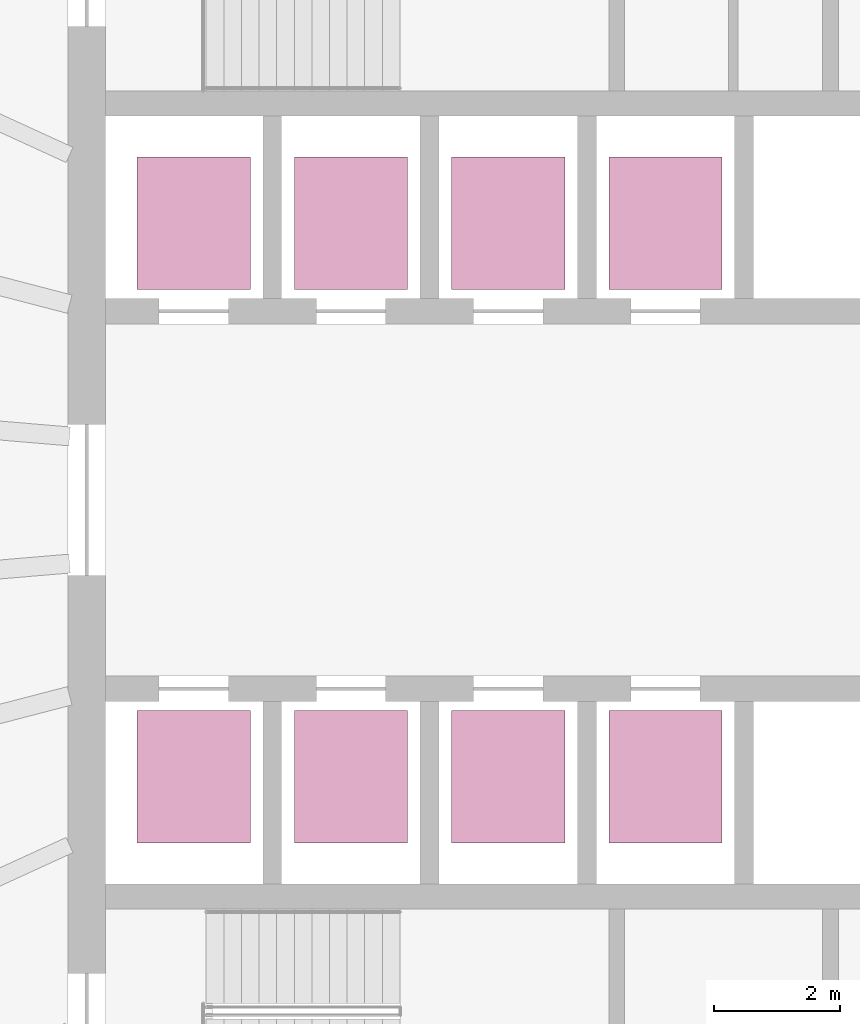
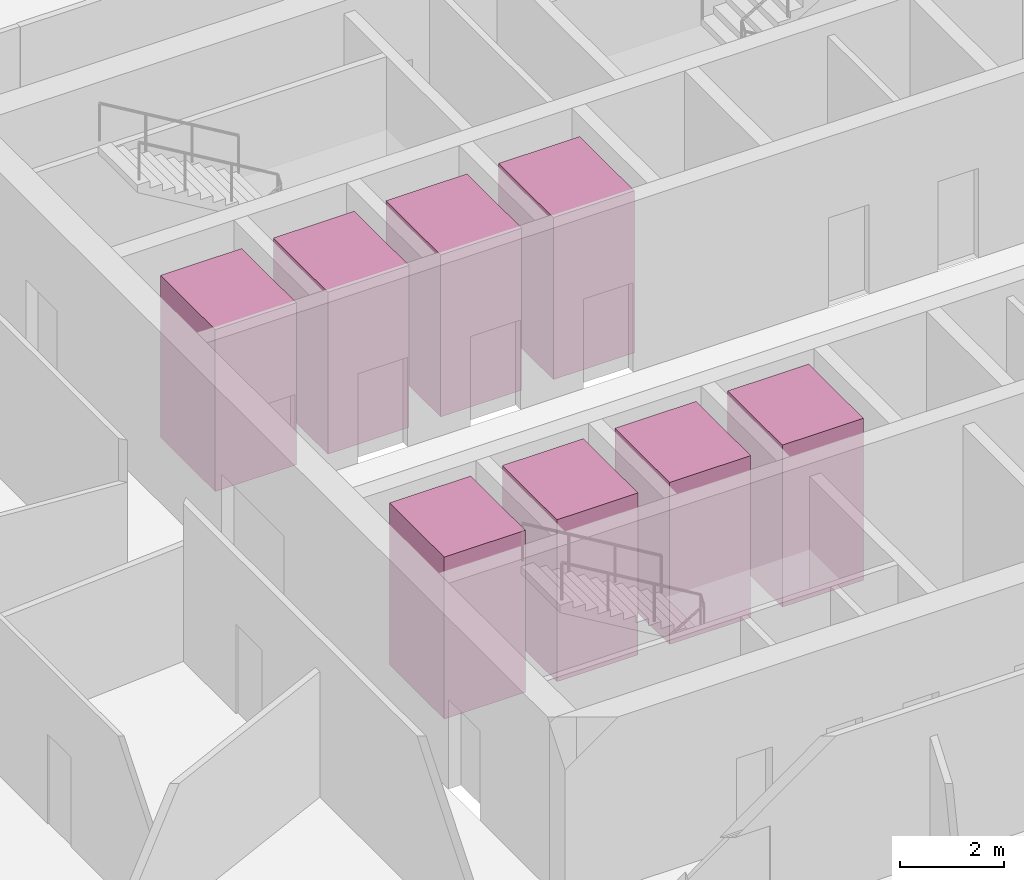
# One storey, part 10 of 10: 8 transport elements.
"""IFC4 building model written with IfcOpenShell, lengths in metres."""

import ifcopenshell
import ifcopenshell.guid

model = None  # the IFC model being written
_history = None  # IfcOwnerHistory: only IFC2X3 demands one
_inside = {}  # id of a spatial element -> (the spatial element, [elements in it])
_under = {}  # id of a project, library or spatial element -> (it, [spatial elements below it])
_declared = {}  # id of a project -> (the project, [libraries it declares])
_typed = {}  # id of a type object -> (the type object, [elements of that type])
_made_of = {}  # id of a material, layer set ... -> (it, [elements and type objects made of it])


def new_model(schema):
    """Start an empty IFC model of exactly this schema.

    Asked for "IFC4X3", IfcOpenShell would pick the latest addendum, in which some entities
    have other attributes; the version numbers below select the first issue.
    IFC2X3 requires an IfcOwnerHistory on every rooted entity: one is made here for all.
    """
    global model, _history
    if schema == "IFC4X3":
        model = ifcopenshell.file(schema_version=(4, 3, 0, 0))
    else:
        model = ifcopenshell.file(schema=schema)
    _inside.clear()
    _under.clear()
    _declared.clear()
    _typed.clear()
    _made_of.clear()
    _history = None
    if model.schema == "IFC2X3":
        org = make("IfcOrganization", Name="unknown")
        user = make(
            "IfcPersonAndOrganization",
            ThePerson=make("IfcPerson", FamilyName="unknown"),
            TheOrganization=org,
        )
        app = make(
            "IfcApplication",
            ApplicationDeveloper=org,
            Version="unknown",
            ApplicationFullName="unknown",
            ApplicationIdentifier="unknown",
        )
        _history = make(
            "IfcOwnerHistory",
            OwningUser=user,
            OwningApplication=app,
            ChangeAction="ADDED",
            CreationDate=0,
        )
    return model


def make(cls, **values):
    """One entity of the class cls with the attributes given. An attribute that is None is left unset."""
    return model.create_entity(
        cls, **{name: value for name, value in values.items() if value is not None}
    )


def rooted(cls, **values):
    """An entity with a GlobalId (a new one), such as an element, a storey or a relation."""
    return make(cls, GlobalId=ifcopenshell.guid.new(), OwnerHistory=_history, **values)


def si_unit(unit_type, name, prefix=None):
    """IfcSIUnit, for example si_unit("LENGTHUNIT", "METRE", prefix="MILLI")."""
    return make("IfcSIUnit", UnitType=unit_type, Prefix=prefix, Name=name)


def assignment(units):
    """IfcUnitAssignment: the units of a project."""
    return None if units is None else make("IfcUnitAssignment", Units=units)


def point(xyz):
    """IfcCartesianPoint."""
    return None if xyz is None else make("IfcCartesianPoint", Coordinates=xyz)


def direction(xyz):
    """IfcDirection."""
    return None if xyz is None else make("IfcDirection", DirectionRatios=xyz)


def frame(location, z_axis=None, x_axis=None):
    """IfcAxis2Placement3D, a coordinate frame: its origin and axes. An axis left out is left unset."""
    return make(
        "IfcAxis2Placement3D",
        Location=point(location),
        Axis=direction(z_axis),
        RefDirection=direction(x_axis),
    )


def frame_2d(location, x_axis=None):
    """IfcAxis2Placement2D, a coordinate frame in the plane: its origin and x axis."""
    return make(
        "IfcAxis2Placement2D", Location=point(location), RefDirection=direction(x_axis)
    )


def origin():
    """The frame at (0, 0, 0) with its axes left unset."""
    return frame((0.0, 0.0, 0.0))


def origin_2d():
    """The frame at (0, 0) in the plane with its x axis left unset."""
    return frame_2d((0.0, 0.0))


def place(relative_to, where):
    """IfcLocalPlacement: puts the frame where relative to a parent placement (None: the world)."""
    return make(
        "IfcLocalPlacement", PlacementRelTo=relative_to, RelativePlacement=where
    )


def context(
    kind, dimensions, precision=None, world=None, true_north=None, identifier=None
):
    """IfcGeometricRepresentationContext, for example the 3D "Model" context."""
    return make(
        "IfcGeometricRepresentationContext",
        ContextIdentifier=identifier,
        ContextType=kind,
        CoordinateSpaceDimension=dimensions,
        Precision=precision,
        WorldCoordinateSystem=world,
        TrueNorth=true_north,
    )


def subcontext(parent, identifier, kind, view, scale=None):
    """IfcGeometricRepresentationSubContext, for example "Body" below "Model"."""
    return make(
        "IfcGeometricRepresentationSubContext",
        ContextIdentifier=identifier,
        ContextType=kind,
        ParentContext=parent,
        TargetScale=scale,
        TargetView=view,
    )


def project(units=None, contexts=None):
    """IfcProject with its units and contexts."""
    return rooted(
        "IfcProject",
        Name="project",
        RepresentationContexts=contexts,
        UnitsInContext=assignment(units),
    )


def spatial(cls, under=None, at=None, **own):
    """A site, building, storey or space (cls), placed at a placement, below another one or the project."""
    s = rooted(cls, ObjectPlacement=at, **own)
    if under is not None:
        _under.setdefault(under.id(), (under, []))[1].append(s)
    return s


def profile(cls, at=None, kind="AREA", **sizes):
    """A parametric profile (cls). Its sizes go by their IFC names, for example OverallWidth=200.0."""
    return make(cls, ProfileType=kind, Position=at, **sizes)


def rectangle(**sizes):
    """IfcRectangleProfileDef."""
    return profile("IfcRectangleProfileDef", **sizes)


def extrude(swept, where, along, depth):
    """IfcExtrudedAreaSolid: the profile swept, set in the frame where, extruded along a direction by depth."""
    return make(
        "IfcExtrudedAreaSolid",
        SweptArea=swept,
        Position=where,
        ExtrudedDirection=direction(along),
        Depth=depth,
    )


def shape(context_of_items, identifier, shape_type, items):
    """IfcShapeRepresentation: the items that make up one representation, for example the "Body"."""
    return make(
        "IfcShapeRepresentation",
        ContextOfItems=context_of_items,
        RepresentationIdentifier=identifier,
        RepresentationType=shape_type,
        Items=items,
    )


def material(Name=None, Category=None):
    """IfcMaterial."""
    return make("IfcMaterial", Name=Name, Category=Category)


def made_of(thing, what):
    """Note that an element or type object is made of a material, layer set ...; save() writes the relation."""
    if what is not None:
        _made_of.setdefault(what.id(), (what, []))[1].append(thing)
    return thing


def type_object(cls, material=None, **own):
    """A type object (cls), such as IfcWallType, which elements share."""
    return made_of(rooted(cls, **own), material)


def element(
    cls,
    number,
    at=None,
    inside=None,
    cuts=None,
    type_object=None,
    material=None,
    context=None,
    identifier="Body",
    shape_type=None,
    held_by="IfcProductDefinitionShape",
    body=None,
    shapes=None,
    **own,
):
    """One element of the class cls, such as IfcWall. Its Tag is "e" and its number.

    at: its placement. inside: the storey or other place that contains it. cuts: it is an
    opening in that element (IfcRelVoidsElement). A single representation is given by context,
    identifier, shape_type and body (its items); several are given by shapes. held_by: the class
    of the entity that holds the representations. save() writes the other relations.
    """
    e = rooted(cls, Tag="e%d" % number, ObjectPlacement=at, **own)
    if body is not None:
        shapes = [shape(context, identifier, shape_type, body)]
    if shapes is not None:
        e.Representation = make(held_by, Representations=shapes)
    if inside is not None:
        _inside.setdefault(inside.id(), (inside, []))[1].append(e)
    if cuts is not None:
        rooted(
            "IfcRelVoidsElement", RelatingBuildingElement=cuts, RelatedOpeningElement=e
        )
    if type_object is not None:
        _typed.setdefault(type_object.id(), (type_object, []))[1].append(e)
    return made_of(e, material)


def aggregate(whole, parts):
    """IfcRelAggregates: a whole, such as a stair, and the parts it consists of."""
    return rooted("IfcRelAggregates", RelatingObject=whole, RelatedObjects=parts)


def save(model, path):
    """Write the relations noted so far, then the file.

    IfcRelAggregates (storeys below a building ...), IfcRelContainedInSpatialStructure (elements
    in a storey), IfcRelDefinesByType, IfcRelAssociatesMaterial and IfcRelDeclares: one each for
    every whole, place, type object, material and project.
    """
    for whole, parts in _under.values():
        aggregate(whole, parts)
    for where, things in _inside.values():
        rooted(
            "IfcRelContainedInSpatialStructure",
            RelatedElements=things,
            RelatingStructure=where,
        )
    for kind, things in _typed.values():
        rooted("IfcRelDefinesByType", RelatedObjects=things, RelatingType=kind)
    for what, things in _made_of.values():
        rooted("IfcRelAssociatesMaterial", RelatedObjects=things, RelatingMaterial=what)
    for by, libraries in _declared.values():
        rooted("IfcRelDeclares", RelatingContext=by, RelatedDefinitions=libraries)
    model.write(path)


model = new_model("IFC4")

# Units and contexts
model_context = context("Model", 3, precision=1e-05, world=origin(), true_north=direction((0.0, 1.0)))
body_context = subcontext(model_context, "Body", "Model", "MODEL_VIEW")
ifc_project = project(units=[si_unit("LENGTHUNIT", "METRE"), si_unit("AREAUNIT", "SQUARE_METRE"), si_unit("VOLUMEUNIT", "CUBIC_METRE"), si_unit("PLANEANGLEUNIT", "RADIAN"), si_unit("MASSUNIT", "GRAM", prefix="KILO")], contexts=[model_context])

# Site, building, storey
site_placement = place(None, origin())
site = spatial("IfcSite", under=ifc_project, at=site_placement, CompositionType="ELEMENT")
building_placement = place(site_placement, origin())
building = spatial("IfcBuilding", under=site, at=building_placement, Name="Halqa Exchange Tower", CompositionType="ELEMENT")
storey_placement = place(building_placement, frame((0.0, 0.0, 202.89990234375)))
storey = spatial("IfcBuildingStorey", under=building, at=storey_placement, Name="L46", CompositionType="ELEMENT", Elevation=202.89990234375)

# Transport elements
ifc_material = material(Name="Stainless steel", Category="steel")
transport_element_type_1 = type_object("IfcTransportElementType", Name="High-rise passenger lift 1800 x 2100", PredefinedType="ELEVATOR", material=ifc_material)
for number, where, z_axis, x_axis, name in (
    (1, (-10.0, 4.39990234375, 0.0), (0.0, 0.0, 1.0), (1.0, 0.0, 0.0), "High-rise passenger lift HR1"),
    (2, (-7.5, 4.39990234375, 0.0), (0.0, 0.0, 1.0), (1.0, 0.0, 0.0), "High-rise passenger lift HR2"),
    (3, (-10.0, -4.39990234375, 0.0), (0.0, 0.0, 1.0), (1.0, 0.0, 0.0), "High-rise passenger lift HR3"),
    (4, (-7.5, -4.39990234375, 0.0), (0.0, 0.0, 1.0), (1.0, 0.0, 0.0), "High-rise passenger lift HR4"),
):
    element("IfcTransportElement", number, at=place(storey_placement, frame(where, z_axis=z_axis, x_axis=x_axis)), inside=storey, type_object=transport_element_type_1, Name=name, PredefinedType="ELEVATOR", context=body_context, shape_type="SweptSolid", body=[
        extrude(rectangle(XDim=1.800048828125, YDim=2.10009765625, at=origin_2d()), origin(), (0.0, 0.0, 1.0), 3.800048828125),
    ])
transport_element_type_2 = type_object("IfcTransportElementType", Name="Mid-rise passenger lift 1800 x 2100", PredefinedType="ELEVATOR", material=ifc_material)
for number, where, z_axis, x_axis, name in (
    (5, (-5.0, 4.39990234375, 0.0), (0.0, 0.0, 1.0), (1.0, 0.0, 0.0), "Mid-rise passenger lift MR1"),
    (6, (-2.5, 4.39990234375, 0.0), (0.0, 0.0, 1.0), (1.0, 0.0, 0.0), "Mid-rise passenger lift MR2"),
    (7, (-5.0, -4.39990234375, 0.0), (0.0, 0.0, 1.0), (1.0, 0.0, 0.0), "Mid-rise passenger lift MR3"),
    (8, (-2.5, -4.39990234375, 0.0), (0.0, 0.0, 1.0), (1.0, 0.0, 0.0), "Mid-rise passenger lift MR4"),
):
    element("IfcTransportElement", number, at=place(storey_placement, frame(where, z_axis=z_axis, x_axis=x_axis)), inside=storey, type_object=transport_element_type_2, Name=name, PredefinedType="ELEVATOR", context=body_context, shape_type="SweptSolid", body=[
        extrude(rectangle(XDim=1.800048828125, YDim=2.10009765625, at=origin_2d()), origin(), (0.0, 0.0, 1.0), 3.800048828125),
    ])

save(model, "model.ifc")
